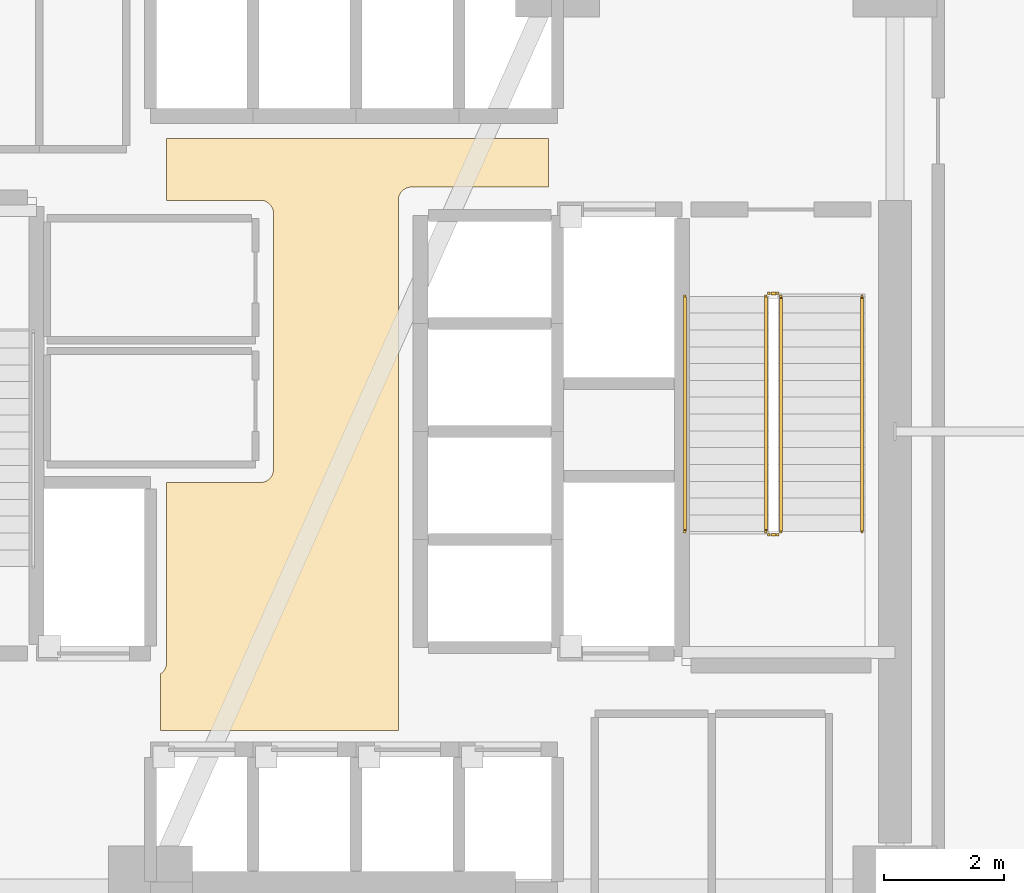
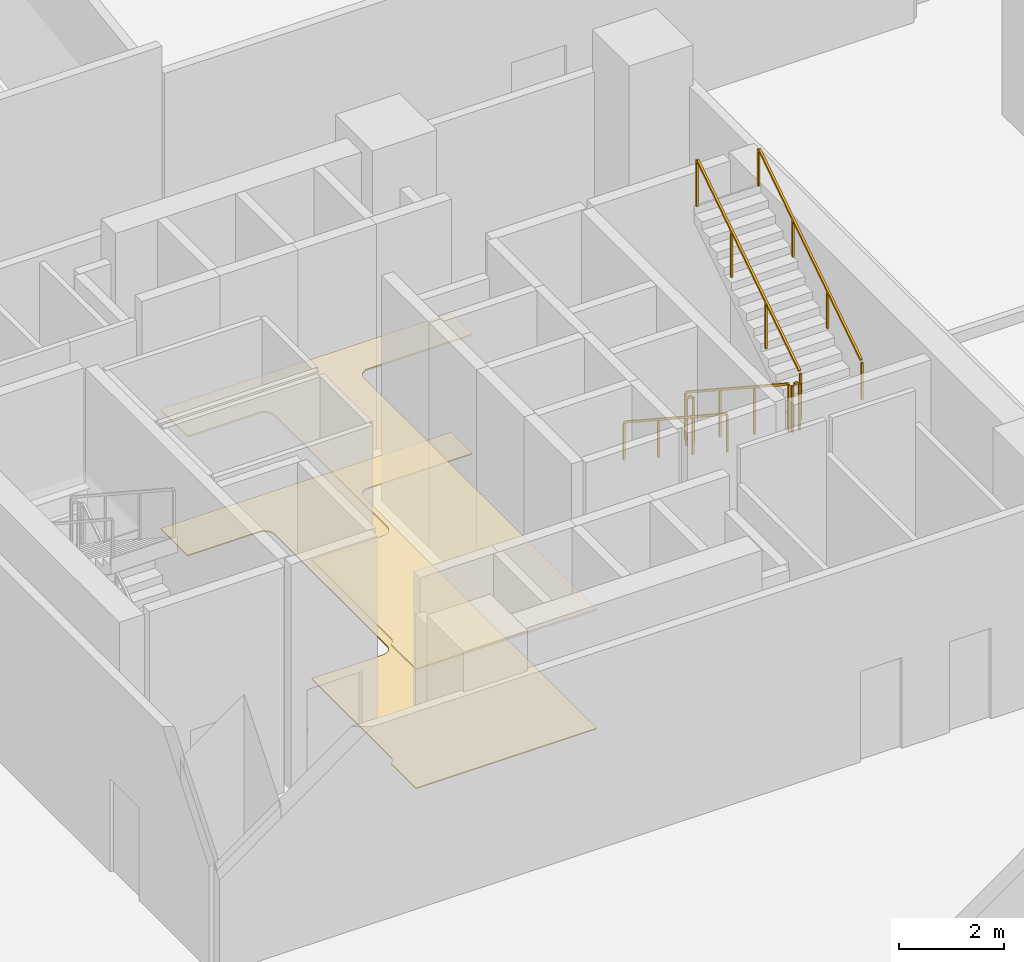
# One storey, part 14 of 16: 6 railings, 2 coverings.
"""IFC4 building model written with IfcOpenShell, lengths in metres."""

from ifc_helpers import new_model, si_unit, direction, frame, origin, origin_2d, place, context, subcontext, project, spatial, polyline, rectangle, outline, extrude, material, layer, layer_set, type_object, element, save


model = new_model("IFC4")

# Units and contexts
model_context = context("Model", 3, precision=1e-05, world=origin(), true_north=direction((0.0, 1.0)))
body_context = subcontext(model_context, "Body", "Model", "MODEL_VIEW")
ifc_project = project(units=[si_unit("LENGTHUNIT", "METRE"), si_unit("AREAUNIT", "SQUARE_METRE"), si_unit("VOLUMEUNIT", "CUBIC_METRE"), si_unit("PLANEANGLEUNIT", "RADIAN"), si_unit("MASSUNIT", "GRAM", prefix="KILO")], contexts=[model_context])

# Site, building, storey
site_placement = place(None, origin())
site = spatial("IfcSite", under=ifc_project, at=site_placement, CompositionType="ELEMENT")
building_placement = place(site_placement, origin())
building = spatial("IfcBuilding", under=site, at=building_placement, Name="Tharavind Bronze Gate", CompositionType="ELEMENT")
storey_placement = place(building_placement, frame((0.0, 0.0, 5.5)))
storey = spatial("IfcBuildingStorey", under=building, at=storey_placement, Name="L01", CompositionType="ELEMENT", Elevation=5.5)

# Coverings
ifc_material_1 = material(Name="Perforated Bronze Acoustic Panel", Category="bronze")
ifc_layer_1 = layer(ifc_material_1, 0.044921875)
ifc_layer_set_1 = layer_set([ifc_layer_1], Name="Perforated Bronze Acoustic Panel")
covering_type_1 = type_object("IfcCoveringType", Name="ACOUSTIC BRONZE BAFFLE CEILING", PredefinedType="CEILING", material=ifc_layer_set_1)
covering_1_placement = place(storey_placement, frame((0.0, 0.0, 2.75)))
element("IfcCovering", 1, at=covering_1_placement, inside=storey, type_object=covering_type_1, Name="L01-C-LL suspended ceiling", PredefinedType="CEILING", context=body_context, shape_type="SweptSolid", body=[
    extrude(outline(polyline([(-3.330078125, -4.97998046875), (0.6298828125, -4.97998046875), (0.6298828125, 3.85009765625), (0.631103515625, 3.87158203125), (0.63427734375, 3.892822265625), (0.639404296875, 3.913818359375), (0.646728515625, 3.93408203125), (0.656005859375, 3.95361328125), (0.6669921875, 3.97216796875), (0.679931640625, 3.989501953125), (0.6943359375, 4.005615234375), (0.71044921875, 4.02001953125), (0.727783203125, 4.032958984375), (0.746337890625, 4.0439453125), (0.765869140625, 4.05322265625), (0.7861328125, 4.060546875), (0.80712890625, 4.06591796875), (0.828369140625, 4.06884765625), (0.85009765625, 4.070068359375), (3.1298828125, 4.070068359375), (3.1298828125, 4.8798828125), (-3.22998046875, 4.8798828125), (-3.22998046875, 3.85009765625), (-1.669921875, 3.85009765625), (-1.6484375, 3.848876953125), (-1.627197265625, 3.845703125), (-1.606201171875, 3.840576171875), (-1.585693359375, 3.833251953125), (-1.56640625, 3.823974609375), (-1.5478515625, 3.81298828125), (-1.530517578125, 3.800048828125), (-1.514404296875, 3.78564453125), (-1.5, 3.76953125), (-1.487060546875, 3.752197265625), (-1.47607421875, 3.733642578125), (-1.466796875, 3.714111328125), (-1.45947265625, 3.69384765625), (-1.4541015625, 3.6728515625), (-1.451171875, 3.651611328125), (-1.449951171875, 3.6298828125), (-1.449951171875, 1.43994140625), (-1.450439453125, 1.429931640625), (-1.449951171875, 1.419921875), (-1.449951171875, -0.6298828125), (-1.451171875, -0.651611328125), (-1.4541015625, -0.6728515625), (-1.45947265625, -0.69384765625), (-1.466796875, -0.714111328125), (-1.47607421875, -0.733642578125), (-1.487060546875, -0.752197265625), (-1.5, -0.76953125), (-1.514404296875, -0.78564453125), (-1.530517578125, -0.800048828125), (-1.5478515625, -0.81298828125), (-1.56640625, -0.823974609375), (-1.585693359375, -0.833251953125), (-1.606201171875, -0.840576171875), (-1.627197265625, -0.845703125), (-1.6484375, -0.848876953125), (-1.669921875, -0.85009765625), (-3.22998046875, -0.85009765625), (-3.22998046875, -3.85009765625), (-3.231201171875, -3.87158203125), (-3.234130859375, -3.892822265625), (-3.239501953125, -3.913818359375), (-3.24658203125, -3.93408203125), (-3.256103515625, -3.95361328125), (-3.26708984375, -3.97216796875), (-3.27978515625, -3.989501953125), (-3.29443359375, -4.005615234375), (-3.310302734375, -4.02001953125), (-3.327880859375, -4.032958984375), (-3.330078125, -4.0341796875), (-3.330078125, -4.97998046875)])), origin(), (0.0, 0.0, 1.0), 0.034912109375),
])
ifc_material_2 = material(Name="Honed Travertine Limestone", Category="masonry")
ifc_layer_2 = layer(ifc_material_2, 0.030029296875)
ifc_layer_set_2 = layer_set([ifc_layer_2], Name="Honed Travertine Limestone")
covering_type_2 = type_object("IfcCoveringType", Name="HONED LIMESTONE FLOORING", PredefinedType="FLOORING", material=ifc_layer_set_2)
covering_2_placement = place(storey_placement, origin())
element("IfcCovering", 2, at=covering_2_placement, inside=storey, type_object=covering_type_2, Name="L01-C-LL floor finish", PredefinedType="FLOORING", context=body_context, shape_type="SweptSolid", body=[
    extrude(outline(polyline([(-3.330078125, -4.97998046875), (0.6298828125, -4.97998046875), (0.6298828125, 3.85009765625), (0.631103515625, 3.87158203125), (0.63427734375, 3.892822265625), (0.639404296875, 3.913818359375), (0.646728515625, 3.93408203125), (0.656005859375, 3.95361328125), (0.6669921875, 3.97216796875), (0.679931640625, 3.989501953125), (0.6943359375, 4.005615234375), (0.71044921875, 4.02001953125), (0.727783203125, 4.032958984375), (0.746337890625, 4.0439453125), (0.765869140625, 4.05322265625), (0.7861328125, 4.060546875), (0.80712890625, 4.06591796875), (0.828369140625, 4.06884765625), (0.85009765625, 4.070068359375), (3.1298828125, 4.070068359375), (3.1298828125, 4.8798828125), (-3.22998046875, 4.8798828125), (-3.22998046875, 3.85009765625), (-1.669921875, 3.85009765625), (-1.6484375, 3.848876953125), (-1.627197265625, 3.845703125), (-1.606201171875, 3.840576171875), (-1.585693359375, 3.833251953125), (-1.56640625, 3.823974609375), (-1.5478515625, 3.81298828125), (-1.530517578125, 3.800048828125), (-1.514404296875, 3.78564453125), (-1.5, 3.76953125), (-1.487060546875, 3.752197265625), (-1.47607421875, 3.733642578125), (-1.466796875, 3.714111328125), (-1.45947265625, 3.69384765625), (-1.4541015625, 3.6728515625), (-1.451171875, 3.651611328125), (-1.449951171875, 3.6298828125), (-1.449951171875, 1.43994140625), (-1.450439453125, 1.429931640625), (-1.449951171875, 1.419921875), (-1.449951171875, -0.6298828125), (-1.451171875, -0.651611328125), (-1.4541015625, -0.6728515625), (-1.45947265625, -0.69384765625), (-1.466796875, -0.714111328125), (-1.47607421875, -0.733642578125), (-1.487060546875, -0.752197265625), (-1.5, -0.76953125), (-1.514404296875, -0.78564453125), (-1.530517578125, -0.800048828125), (-1.5478515625, -0.81298828125), (-1.56640625, -0.823974609375), (-1.585693359375, -0.833251953125), (-1.606201171875, -0.840576171875), (-1.627197265625, -0.845703125), (-1.6484375, -0.848876953125), (-1.669921875, -0.85009765625), (-3.22998046875, -0.85009765625), (-3.22998046875, -3.85009765625), (-3.231201171875, -3.87158203125), (-3.234130859375, -3.892822265625), (-3.239501953125, -3.913818359375), (-3.24658203125, -3.93408203125), (-3.256103515625, -3.95361328125), (-3.26708984375, -3.97216796875), (-3.27978515625, -3.989501953125), (-3.29443359375, -4.005615234375), (-3.310302734375, -4.02001953125), (-3.327880859375, -4.032958984375), (-3.330078125, -4.0341796875), (-3.330078125, -4.97998046875)])), origin(), (0.0, 0.0, 1.0), 0.02490234375),
])

# Railings
ifc_material_3 = material(Name="Brushed Bronze Alloy", Category="metal")
railing_type_1 = type_object("IfcRailingType", Name="STAIR BRONZE HANDRAIL 900", PredefinedType="HANDRAIL", material=ifc_material_3)
railing_1_placement = place(storey_placement, frame((5.39990234375, 2.25, 0.183349609375)))
element("IfcRailing", 3, at=railing_1_placement, inside=storey, type_object=railing_type_1, Name="L01 ST2 stair handrail 1", PredefinedType="HANDRAIL", context=body_context, shape_type="SweptSolid", body=[
    extrude(rectangle(XDim=0.048095703125, YDim=0.048095703125, at=origin_2d()), frame((0.0, -0.02685546875, 0.893310546875), z_axis=(0.0, -0.836615117243, 0.547791151444), x_axis=(1.0, 0.0, 0.0)), (0.0, 0.0, 1.0), 4.621337890625),
    extrude(rectangle(XDim=0.0400390625, YDim=0.0400390625, at=origin_2d()), origin(), (0.0, 0.0, 1.0), 0.847900390625),
    extrude(rectangle(XDim=0.0400390625, YDim=0.0400390625, at=origin_2d()), frame((0.0, -1.306640625, 0.85546875)), (0.0, 0.0, 1.0), 0.847900390625),
    extrude(rectangle(XDim=0.0400390625, YDim=0.0400390625, at=origin_2d()), frame((0.0, -2.61328125, 1.711181640625)), (0.0, 0.0, 1.0), 0.847900390625),
    extrude(rectangle(XDim=0.0400390625, YDim=0.0400390625, at=origin_2d()), frame((0.0, -3.919921875, 2.566650390625)), (0.0, 0.0, 1.0), 0.847900390625),
])
railing_2_placement = place(storey_placement, frame((8.35009765625, -1.669921875, 2.933349609375)))
element("IfcRailing", 4, at=railing_2_placement, inside=storey, type_object=railing_type_1, Name="L01 ST2 stair handrail 2", PredefinedType="HANDRAIL", context=body_context, shape_type="SweptSolid", body=[
    extrude(rectangle(XDim=0.048095703125, YDim=0.048095703125, at=origin_2d()), frame((0.0, 0.02685546875, 0.893310546875), z_axis=(0.0, 0.836615117243, 0.547791151444), x_axis=(-1.0, 0.0, 0.0)), (0.0, 0.0, 1.0), 4.621337890625),
    extrude(rectangle(XDim=0.0400390625, YDim=0.0400390625, at=origin_2d()), origin(), (0.0, 0.0, 1.0), 0.847900390625),
    extrude(rectangle(XDim=0.0400390625, YDim=0.0400390625, at=origin_2d()), frame((0.0, 1.306640625, 0.85546875)), (0.0, 0.0, 1.0), 0.847900390625),
    extrude(rectangle(XDim=0.0400390625, YDim=0.0400390625, at=origin_2d()), frame((0.0, 2.61328125, 1.711181640625)), (0.0, 0.0, 1.0), 0.847900390625),
    extrude(rectangle(XDim=0.0400390625, YDim=0.0400390625, at=origin_2d()), frame((0.0, 3.919921875, 2.566650390625)), (0.0, 0.0, 1.0), 0.847900390625),
])
railing_type_2 = type_object("IfcRailingType", Name="STAIR WELL GUARD RAILING 1120", PredefinedType="GUARDRAIL", material=ifc_material_3)
railing_3_placement = place(storey_placement, frame((6.75, 2.25, 0.183349609375)))
element("IfcRailing", 5, at=railing_3_placement, inside=storey, type_object=railing_type_2, Name="L01 ST2 stair guard 1", PredefinedType="GUARDRAIL", context=body_context, shape_type="SweptSolid", body=[
    extrude(rectangle(XDim=0.048095703125, YDim=0.048095703125, at=origin_2d()), frame((0.0, -0.02685546875, 1.113525390625), z_axis=(0.0, -0.836615117243, 0.547791151444), x_axis=(1.0, 0.0, 0.0)), (0.0, 0.0, 1.0), 4.621337890625),
    extrude(rectangle(XDim=0.0400390625, YDim=0.0400390625, at=origin_2d()), origin(), (0.0, 0.0, 1.0), 1.068115234375),
    extrude(rectangle(XDim=0.0400390625, YDim=0.0400390625, at=origin_2d()), frame((0.0, -1.306640625, 0.85546875)), (0.0, 0.0, 1.0), 1.068115234375),
    extrude(rectangle(XDim=0.0400390625, YDim=0.0400390625, at=origin_2d()), frame((0.0, -2.61328125, 1.711181640625)), (0.0, 0.0, 1.0), 1.068115234375),
    extrude(rectangle(XDim=0.0400390625, YDim=0.0400390625, at=origin_2d()), frame((0.0, -3.919921875, 2.566650390625)), (0.0, 0.0, 1.0), 1.068115234375),
])
railing_4_placement = place(storey_placement, frame((6.800048828125, -1.719970703125, 2.75)))
element("IfcRailing", 6, at=railing_4_placement, inside=storey, type_object=railing_type_2, Name="L01 ST2 stair guard 2", PredefinedType="GUARDRAIL", context=body_context, shape_type="SweptSolid", body=[
    extrude(rectangle(XDim=0.048095703125, YDim=0.048095703125, at=origin_2d()), frame((0.031982421875, 0.0, 1.09619140625), z_axis=(1.0, 0.0, 0.0), x_axis=(0.0, 1.0, 0.0)), (0.0, 0.0, 1.0), 0.0859375),
    extrude(rectangle(XDim=0.0400390625, YDim=0.0400390625, at=origin_2d()), origin(), (0.0, 0.0, 1.0), 1.068115234375),
    extrude(rectangle(XDim=0.0400390625, YDim=0.0400390625, at=origin_2d()), frame((0.14990234375, 0.0, 0.0)), (0.0, 0.0, 1.0), 1.068115234375),
])
railing_5_placement = place(storey_placement, frame((7.0, -1.669921875, 2.933349609375)))
element("IfcRailing", 7, at=railing_5_placement, inside=storey, type_object=railing_type_2, Name="L01 ST2 stair guard 3", PredefinedType="GUARDRAIL", context=body_context, shape_type="SweptSolid", body=[
    extrude(rectangle(XDim=0.048095703125, YDim=0.048095703125, at=origin_2d()), frame((0.0, 0.02685546875, 1.113525390625), z_axis=(0.0, 0.836615117243, 0.547791151444), x_axis=(-1.0, 0.0, 0.0)), (0.0, 0.0, 1.0), 4.621337890625),
    extrude(rectangle(XDim=0.0400390625, YDim=0.0400390625, at=origin_2d()), origin(), (0.0, 0.0, 1.0), 1.068115234375),
    extrude(rectangle(XDim=0.0400390625, YDim=0.0400390625, at=origin_2d()), frame((0.0, 1.306640625, 0.85546875)), (0.0, 0.0, 1.0), 1.068115234375),
    extrude(rectangle(XDim=0.0400390625, YDim=0.0400390625, at=origin_2d()), frame((0.0, 2.61328125, 1.711181640625)), (0.0, 0.0, 1.0), 1.068115234375),
    extrude(rectangle(XDim=0.0400390625, YDim=0.0400390625, at=origin_2d()), frame((0.0, 3.919921875, 2.566650390625)), (0.0, 0.0, 1.0), 1.068115234375),
])
railing_6_placement = place(storey_placement, frame((6.800048828125, 2.300048828125, 0.0)))
element("IfcRailing", 8, at=railing_6_placement, inside=storey, type_object=railing_type_2, Name="L01 ST2 stair guard 4", PredefinedType="GUARDRAIL", context=body_context, shape_type="SweptSolid", body=[
    extrude(rectangle(XDim=0.048095703125, YDim=0.048095703125, at=origin_2d()), frame((0.031982421875, 0.0, 1.09619140625), z_axis=(1.0, 0.0, 0.0), x_axis=(0.0, 1.0, 0.0)), (0.0, 0.0, 1.0), 0.0859375),
    extrude(rectangle(XDim=0.0400390625, YDim=0.0400390625, at=origin_2d()), origin(), (0.0, 0.0, 1.0), 1.068115234375),
    extrude(rectangle(XDim=0.0400390625, YDim=0.0400390625, at=origin_2d()), frame((0.14990234375, 0.0, 0.0)), (0.0, 0.0, 1.0), 1.068115234375),
])

save(model, "model.ifc")
